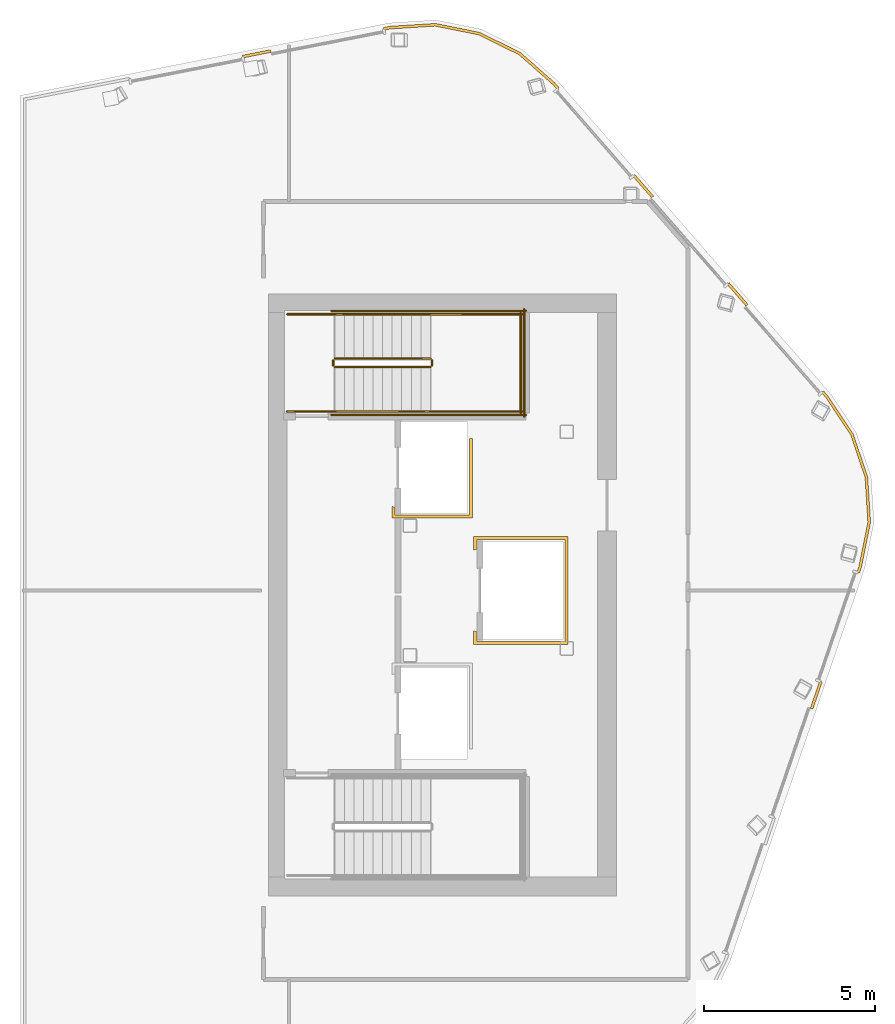
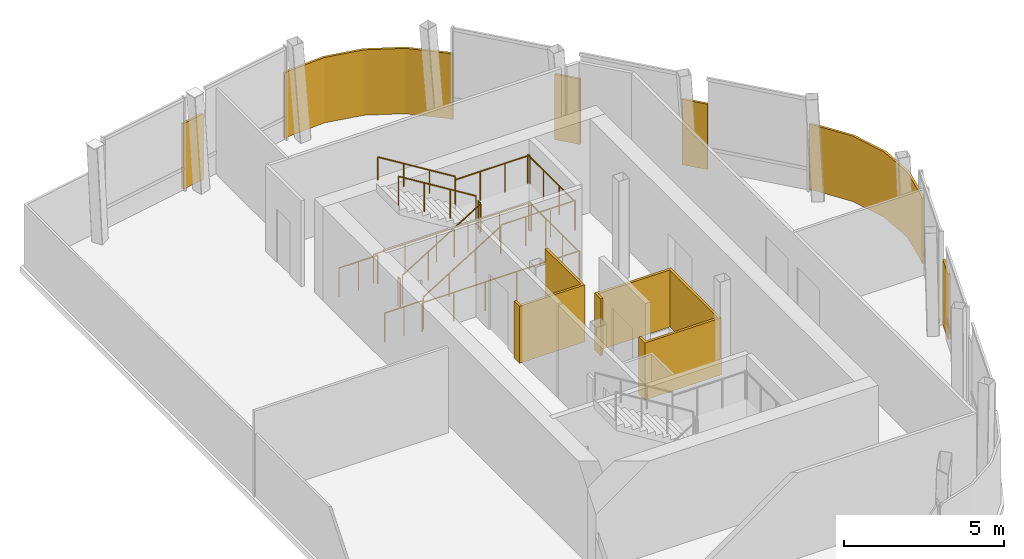
# One storey, part 5 of 5: 14 railings, 8 coverings.
"""IFC4 building model written with IfcOpenShell, lengths in metres."""

from ifc_helpers import new_model, si_unit, direction, frame, origin, origin_2d, place, context, subcontext, project, spatial, polyline, circle, outline, extrude, material, layer, layer_set, type_object, element, save


model = new_model("IFC4")

# Units and contexts
model_context = context("Model", 3, precision=1e-05, world=origin(), true_north=direction((0.0, 1.0)))
body_context = subcontext(model_context, "Body", "Model", "MODEL_VIEW")
ifc_project = project(units=[si_unit("LENGTHUNIT", "METRE"), si_unit("AREAUNIT", "SQUARE_METRE"), si_unit("VOLUMEUNIT", "CUBIC_METRE"), si_unit("PLANEANGLEUNIT", "RADIAN"), si_unit("MASSUNIT", "GRAM", prefix="KILO")], contexts=[model_context])

# Site, building, storey
site_placement = place(None, origin())
site = spatial("IfcSite", under=ifc_project, at=site_placement, CompositionType="ELEMENT")
building_placement = place(site_placement, origin())
building = spatial("IfcBuilding", under=site, at=building_placement, Name="Valkerne Bourse Tower", CompositionType="ELEMENT")
storey_placement = place(building_placement, frame((0.0, 0.0, 330.60009765625)))
storey = spatial("IfcBuildingStorey", under=building, at=storey_placement, Name="L84", CompositionType="ELEMENT", Elevation=330.60009765625)

# Coverings
ifc_material_1 = material(Name="Bronze Anodised Aluminium AA 6063-T6", Category="aluminium")
ifc_layer_1 = layer(ifc_material_1, 0.06005859375)
ifc_layer_set_1 = layer_set([ifc_layer_1], Name="Bronze Anodised Aluminium AA 6063-T6")
covering_type_1 = type_object("IfcCoveringType", Name="COV-CRN-ALUM", PredefinedType="CLADDING", material=ifc_layer_set_1)
covering_1_placement = place(storey_placement, origin())
element("IfcCovering", 1, at=covering_1_placement, inside=storey, type_object=covering_type_1, Name="L84 Wind-Shaped Corner Aluminium Cladding 02", PredefinedType="CLADDING", context=body_context, shape_type="SweptSolid", body=[
    extrude(outline(polyline([(46.263427734375, 42.85498046875), (46.27880859375, 42.776611328125), (45.45458984375, 42.61474609375), (45.439208984375, 42.693359375), (46.263427734375, 42.85498046875)])), origin(), (0.0, 0.0, 1.0), 2.5),
])
covering_2_placement = place(storey_placement, origin())
element("IfcCovering", 2, at=covering_2_placement, inside=storey, type_object=covering_type_1, Name="L84 Wind-Shaped Corner Aluminium Cladding 03", PredefinedType="CLADDING", context=body_context, shape_type="SweptSolid", body=[
    extrude(outline(polyline([(49.761962890625, 43.54150390625), (51.09716796875, 43.62548828125), (52.402099609375, 43.3623046875), (53.59423828125, 42.7705078125), (54.597900390625, 41.8857421875), (54.724853515625, 41.739990234375), (54.66455078125, 41.6875), (54.541015625, 41.8291015625), (53.54931640625, 42.703369140625), (52.3759765625, 43.285888671875), (51.091796875, 43.544921875), (49.772216796875, 43.4619140625), (49.587890625, 43.42578125), (49.572509765625, 43.504150390625), (49.761962890625, 43.54150390625)])), origin(), (0.0, 0.0, 1.0), 2.5),
])
covering_3_placement = place(storey_placement, origin())
element("IfcCovering", 3, at=covering_3_placement, inside=storey, type_object=covering_type_1, Name="L84 Wind-Shaped Corner Aluminium Cladding 04", PredefinedType="CLADDING", context=body_context, shape_type="SweptSolid", body=[
    extrude(outline(polyline([(57.49365234375, 38.566162109375), (57.433349609375, 38.513427734375), (56.881103515625, 39.146484375), (56.94140625, 39.19921875), (57.49365234375, 38.566162109375)])), origin(), (0.0, 0.0, 1.0), 2.5),
])
covering_4_placement = place(storey_placement, origin())
element("IfcCovering", 4, at=covering_4_placement, inside=storey, type_object=covering_type_1, Name="L84 Wind-Shaped Corner Aluminium Cladding 05", PredefinedType="CLADDING", context=body_context, shape_type="SweptSolid", body=[
    extrude(outline(polyline([(60.2626953125, 35.39208984375), (60.202392578125, 35.339599609375), (59.650146484375, 35.972412109375), (59.71044921875, 36.025146484375), (60.2626953125, 35.39208984375)])), origin(), (0.0, 0.0, 1.0), 2.5),
])
covering_5_placement = place(storey_placement, origin())
element("IfcCovering", 5, at=covering_5_placement, inside=storey, type_object=covering_type_1, Name="L84 Wind-Shaped Corner Aluminium Cladding 06", PredefinedType="CLADDING", context=body_context, shape_type="SweptSolid", body=[
    extrude(outline(polyline([(62.606201171875, 32.70556640625), (63.3466796875, 31.59130859375), (63.77099609375, 30.32958984375), (63.854736328125, 29.001220703125), (63.59033203125, 27.689697265625), (63.52783203125, 27.5068359375), (63.4521484375, 27.53271484375), (63.512939453125, 27.710693359375), (63.7744140625, 29.006591796875), (63.69189453125, 30.31396484375), (63.274169921875, 31.5556640625), (62.54248046875, 32.656982421875), (62.4189453125, 32.798583984375), (62.479248046875, 32.85107421875), (62.606201171875, 32.70556640625)])), origin(), (0.0, 0.0, 1.0), 2.5),
])
covering_6_placement = place(storey_placement, origin())
element("IfcCovering", 6, at=covering_6_placement, inside=storey, type_object=covering_type_1, Name="L84 Wind-Shaped Corner Aluminium Cladding 07", PredefinedType="CLADDING", context=body_context, shape_type="SweptSolid", body=[
    extrude(outline(polyline([(62.163330078125, 23.52197265625), (62.087646484375, 23.5478515625), (62.35986328125, 24.342529296875), (62.435546875, 24.316650390625), (62.163330078125, 23.52197265625)])), origin(), (0.0, 0.0, 1.0), 2.5),
])
ifc_material_2 = material(Name="Gypsum Shaftwall Liner Board", Category="gypsum")
ifc_layer_2 = layer(ifc_material_2, 0.080078125)
ifc_layer_set_2 = layer_set([ifc_layer_2], Name="Gypsum Shaftwall Liner Board")
covering_type_2 = type_object("IfcCoveringType", Name="COV-SHF-CLAD", PredefinedType="CLADDING", material=ifc_layer_set_2)
covering_7_placement = place(storey_placement, origin())
element("IfcCovering", 7, at=covering_7_placement, inside=storey, type_object=covering_type_2, Name="L84 Hoistway & Riser Shaftwall Liner 02", PredefinedType="CLADDING", context=body_context, shape_type="SweptSolid", body=[
    extrude(outline(polyline([(52.219970703125, 25.81787109375), (52.227783203125, 25.814208984375), (52.269287109375, 25.79931640625), (52.31005859375, 25.789306640625), (52.31005859375, 25.510009765625), (54.889892578125, 25.510009765625), (54.889892578125, 28.489990234375), (52.31005859375, 28.489990234375), (52.31005859375, 28.210693359375), (52.269287109375, 28.20068359375), (52.227783203125, 28.185791015625), (52.219970703125, 28.18212890625), (52.219970703125, 28.580078125), (54.97998046875, 28.580078125), (54.97998046875, 25.419921875), (52.219970703125, 25.419921875), (52.219970703125, 25.81787109375)])), origin(), (0.0, 0.0, 1.0), 2.179931640625),
])
covering_8_placement = place(storey_placement, origin())
element("IfcCovering", 8, at=covering_8_placement, inside=storey, type_object=covering_type_2, Name="L84 Hoistway & Riser Shaftwall Liner 03", PredefinedType="CLADDING", context=body_context, shape_type="SweptSolid", body=[
    extrude(outline(polyline([(49.820068359375, 29.468017578125), (49.827880859375, 29.46435546875), (49.869384765625, 29.449462890625), (49.909912109375, 29.439208984375), (49.909912109375, 29.2099609375), (52.090087890625, 29.2099609375), (52.090087890625, 31.449951171875), (52.179931640625, 31.449951171875), (52.179931640625, 29.1201171875), (49.820068359375, 29.1201171875), (49.820068359375, 29.468017578125)])), origin(), (0.0, 0.0, 1.0), 2.179931640625),
])

# Railings
ifc_material_3 = material(Name="Galvanised Painted Steel", Category="steel")
railing_type_1 = type_object("IfcRailingType", Name="RLG-ST-GUARD-1120", PredefinedType="GUARDRAIL", material=ifc_material_3)
railing_1_placement = place(storey_placement, frame((48.14990234375, 33.550048828125, 0.172607421875)))
element("IfcRailing", 9, at=railing_1_placement, inside=storey, type_object=railing_type_1, Name="L84 ST-2 stair guard 1", PredefinedType="GUARDRAIL", context=body_context, shape_type="SweptSolid", body=[
    extrude(circle(Radius=0.02392578125, at=origin_2d()), frame((0.0, 0.0, 1.09619140625), z_axis=(0.851089632645, 0.0, 0.525020415988), x_axis=(0.0, 1.0, 0.0)), (0.0, 0.0, 1.0), 3.2900390625),
    extrude(circle(Radius=0.02099609375, at=origin_2d()), origin(), (0.0, 0.0, 1.0), 1.072021484375),
    extrude(circle(Radius=0.02099609375, at=origin_2d()), frame((0.933349609375, 0.0, 0.57568359375)), (0.0, 0.0, 1.0), 1.072021484375),
    extrude(circle(Radius=0.02099609375, at=origin_2d()), frame((1.86669921875, 0.0, 1.151611328125)), (0.0, 0.0, 1.0), 1.072021484375),
    extrude(circle(Radius=0.02099609375, at=origin_2d()), frame((2.800048828125, 0.0, 1.727294921875)), (0.0, 0.0, 1.0), 1.072021484375),
])
railing_2_placement = place(storey_placement, frame((51.0, 33.60009765625, 1.89990234375)))
element("IfcRailing", 10, at=railing_2_placement, inside=storey, type_object=railing_type_1, Name="L84 ST-2 stair guard 2", PredefinedType="GUARDRAIL", context=body_context, shape_type="SweptSolid", body=[
    extrude(circle(Radius=0.02392578125, at=origin_2d()), frame((0.0, 0.0, 1.09619140625), z_axis=(0.0, 1.0, 0.0), x_axis=(-1.0, 0.0, 0.0)), (0.0, 0.0, 1.0), 0.14990234375),
    extrude(circle(Radius=0.02099609375, at=origin_2d()), origin(), (0.0, 0.0, 1.0), 1.072021484375),
    extrude(circle(Radius=0.02099609375, at=origin_2d()), frame((0.0, 0.14990234375, 0.0)), (0.0, 0.0, 1.0), 1.072021484375),
])
for number, where, name in (
    (11, (50.949951171875, 32.25, 1.89990234375), "L84 ST-2 stair guard 3"),
    (12, (50.949951171875, 35.10009765625, 1.89990234375), "L84 ST-2 stair guard 4"),
):
    element("IfcRailing", number, at=place(storey_placement, frame(where)), inside=storey, type_object=railing_type_1, Name=name, PredefinedType="GUARDRAIL", context=body_context, shape_type="SweptSolid", body=[
        extrude(circle(Radius=0.02392578125, at=origin_2d()), frame((0.0, 0.0, 1.09619140625), z_axis=(1.0, 0.0, 0.0), x_axis=(0.0, 1.0, 0.0)), (0.0, 0.0, 1.0), 2.699951171875),
        extrude(circle(Radius=0.02099609375, at=origin_2d()), origin(), (0.0, 0.0, 1.0), 1.072021484375),
        extrude(circle(Radius=0.02099609375, at=origin_2d()), frame((0.89990234375, 0.0, 0.0)), (0.0, 0.0, 1.0), 1.072021484375),
        extrude(circle(Radius=0.02099609375, at=origin_2d()), frame((1.800048828125, 0.0, 0.0)), (0.0, 0.0, 1.0), 1.072021484375),
        extrude(circle(Radius=0.02099609375, at=origin_2d()), frame((2.699951171875, 0.0, 0.0)), (0.0, 0.0, 1.0), 1.072021484375),
    ])
railing_3_placement = place(storey_placement, frame((53.60009765625, 32.199951171875, 1.89990234375)))
element("IfcRailing", 13, at=railing_3_placement, inside=storey, type_object=railing_type_1, Name="L84 ST-2 stair guard 5", PredefinedType="GUARDRAIL", context=body_context, shape_type="SweptSolid", body=[
    extrude(circle(Radius=0.02392578125, at=origin_2d()), frame((0.0, 0.0, 1.09619140625), z_axis=(0.0, 1.0, 0.0), x_axis=(-1.0, 0.0, 0.0)), (0.0, 0.0, 1.0), 2.949951171875),
    extrude(circle(Radius=0.02099609375, at=origin_2d()), origin(), (0.0, 0.0, 1.0), 1.072021484375),
    extrude(circle(Radius=0.02099609375, at=origin_2d()), frame((0.0, 0.9833984375, 0.0)), (0.0, 0.0, 1.0), 1.072021484375),
    extrude(circle(Radius=0.02099609375, at=origin_2d()), frame((0.0, 1.966552734375, 0.0)), (0.0, 0.0, 1.0), 1.072021484375),
    extrude(circle(Radius=0.02099609375, at=origin_2d()), frame((0.0, 2.949951171875, 0.0)), (0.0, 0.0, 1.0), 1.072021484375),
])
railing_4_placement = place(storey_placement, frame((50.949951171875, 33.800048828125, 2.072509765625)))
element("IfcRailing", 14, at=railing_4_placement, inside=storey, type_object=railing_type_1, Name="L84 ST-2 stair guard 6", PredefinedType="GUARDRAIL", context=body_context, shape_type="SweptSolid", body=[
    extrude(circle(Radius=0.02392578125, at=origin_2d()), frame((0.0, 0.0, 1.09619140625), z_axis=(-0.851089632645, 0.0, 0.525020415988), x_axis=(0.0, -1.0, 0.0)), (0.0, 0.0, 1.0), 3.2900390625),
    extrude(circle(Radius=0.02099609375, at=origin_2d()), origin(), (0.0, 0.0, 1.0), 1.072021484375),
    extrude(circle(Radius=0.02099609375, at=origin_2d()), frame((-0.933349609375, 0.0, 0.57568359375)), (0.0, 0.0, 1.0), 1.072021484375),
    extrude(circle(Radius=0.02099609375, at=origin_2d()), frame((-1.86669921875, 0.0, 1.151611328125)), (0.0, 0.0, 1.0), 1.072021484375),
    extrude(circle(Radius=0.02099609375, at=origin_2d()), frame((-2.800048828125, 0.0, 1.727294921875)), (0.0, 0.0, 1.0), 1.072021484375),
])
railing_5_placement = place(storey_placement, frame((48.10009765625, 33.60009765625, 0.0)))
element("IfcRailing", 15, at=railing_5_placement, inside=storey, type_object=railing_type_1, Name="L84 ST-2 stair guard 7", PredefinedType="GUARDRAIL", context=body_context, shape_type="SweptSolid", body=[
    extrude(circle(Radius=0.02392578125, at=origin_2d()), frame((0.0, 0.0, 1.09619140625), z_axis=(0.0, 1.0, 0.0), x_axis=(-1.0, 0.0, 0.0)), (0.0, 0.0, 1.0), 0.14990234375),
    extrude(circle(Radius=0.02099609375, at=origin_2d()), origin(), (0.0, 0.0, 1.0), 1.072021484375),
    extrude(circle(Radius=0.02099609375, at=origin_2d()), frame((0.0, 0.14990234375, 0.0)), (0.0, 0.0, 1.0), 1.072021484375),
])
for number, where, name in (
    (16, (46.75, 32.25, 0.0), "L84 ST-2 stair guard 8"),
    (17, (46.75, 35.10009765625, 0.0), "L84 ST-2 stair guard 9"),
):
    element("IfcRailing", number, at=place(storey_placement, frame(where)), inside=storey, type_object=railing_type_1, Name=name, PredefinedType="GUARDRAIL", context=body_context, shape_type="SweptSolid", body=[
        extrude(circle(Radius=0.02392578125, at=origin_2d()), frame((0.0, 0.0, 1.09619140625), z_axis=(1.0, 0.0, 0.0), x_axis=(0.0, 1.0, 0.0)), (0.0, 0.0, 1.0), 1.39990234375),
        extrude(circle(Radius=0.02099609375, at=origin_2d()), origin(), (0.0, 0.0, 1.0), 1.072021484375),
        extrude(circle(Radius=0.02099609375, at=origin_2d()), frame((0.699951171875, 0.0, 0.0)), (0.0, 0.0, 1.0), 1.072021484375),
        extrude(circle(Radius=0.02099609375, at=origin_2d()), frame((1.39990234375, 0.0, 0.0)), (0.0, 0.0, 1.0), 1.072021484375),
    ])
for number, where, name in (
    (18, (48.050048828125, 32.14990234375, 0.0), "L84 ST-2 stair guard 10"),
    (19, (48.050048828125, 35.199951171875, 0.0), "L84 ST-2 stair guard 11"),
):
    element("IfcRailing", number, at=place(storey_placement, frame(where)), inside=storey, type_object=railing_type_1, Name=name, PredefinedType="GUARDRAIL", context=body_context, shape_type="SweptSolid", body=[
        extrude(circle(Radius=0.02392578125, at=origin_2d()), frame((0.0, 0.0, 1.09619140625), z_axis=(1.0, 0.0, 0.0), x_axis=(0.0, 1.0, 0.0)), (0.0, 0.0, 1.0), 5.699951171875),
        extrude(circle(Radius=0.02099609375, at=origin_2d()), origin(), (0.0, 0.0, 1.0), 1.072021484375),
        extrude(circle(Radius=0.02099609375, at=origin_2d()), frame((1.139892578125, 0.0, 0.0)), (0.0, 0.0, 1.0), 1.072021484375),
        extrude(circle(Radius=0.02099609375, at=origin_2d()), frame((2.280029296875, 0.0, 0.0)), (0.0, 0.0, 1.0), 1.072021484375),
        extrude(circle(Radius=0.02099609375, at=origin_2d()), frame((3.419921875, 0.0, 0.0)), (0.0, 0.0, 1.0), 1.072021484375),
        extrude(circle(Radius=0.02099609375, at=origin_2d()), frame((4.56005859375, 0.0, 0.0)), (0.0, 0.0, 1.0), 1.072021484375),
        extrude(circle(Radius=0.02099609375, at=origin_2d()), frame((5.699951171875, 0.0, 0.0)), (0.0, 0.0, 1.0), 1.072021484375),
    ])
railing_6_placement = place(storey_placement, frame((53.699951171875, 32.10009765625, 0.0)))
element("IfcRailing", 20, at=railing_6_placement, inside=storey, type_object=railing_type_1, Name="L84 ST-2 stair guard 12", PredefinedType="GUARDRAIL", context=body_context, shape_type="SweptSolid", body=[
    extrude(circle(Radius=0.02392578125, at=origin_2d()), frame((0.0, 0.0, 1.09619140625), z_axis=(0.0, 1.0, 0.0), x_axis=(-1.0, 0.0, 0.0)), (0.0, 0.0, 1.0), 3.14990234375),
    extrude(circle(Radius=0.02099609375, at=origin_2d()), origin(), (0.0, 0.0, 1.0), 1.072021484375),
    extrude(circle(Radius=0.02099609375, at=origin_2d()), frame((0.0, 1.050048828125, 0.0)), (0.0, 0.0, 1.0), 1.072021484375),
    extrude(circle(Radius=0.02099609375, at=origin_2d()), frame((0.0, 2.099853515625, 0.0)), (0.0, 0.0, 1.0), 1.072021484375),
    extrude(circle(Radius=0.02099609375, at=origin_2d()), frame((0.0, 3.14990234375, 0.0)), (0.0, 0.0, 1.0), 1.072021484375),
])
ifc_material_4 = material(Name="Stainless Steel AISI 316", Category="steel")
railing_type_2 = type_object("IfcRailingType", Name="RLG-ST-HANDRAIL-900", PredefinedType="HANDRAIL", material=ifc_material_4)
railing_7_placement = place(storey_placement, frame((48.14990234375, 32.25, 0.345458984375)))
element("IfcRailing", 21, at=railing_7_placement, inside=storey, type_object=railing_type_2, Name="L84 ST-2 stair handrail 1", PredefinedType="HANDRAIL", context=body_context, shape_type="SweptSolid", body=[
    extrude(circle(Radius=0.02392578125, at=origin_2d()), frame((0.0, 0.0, 0.8759765625), z_axis=(0.851122791225, 0.0, 0.524966660138), x_axis=(0.0, 1.0, 0.0)), (0.0, 0.0, 1.0), 3.289794921875),
    extrude(circle(Radius=0.02099609375, at=origin_2d()), origin(), (0.0, 0.0, 1.0), 0.851806640625),
    extrude(circle(Radius=0.02099609375, at=origin_2d()), frame((0.933349609375, 0.0, 0.57568359375)), (0.0, 0.0, 1.0), 0.851806640625),
    extrude(circle(Radius=0.02099609375, at=origin_2d()), frame((1.86669921875, 0.0, 1.1513671875)), (0.0, 0.0, 1.0), 0.851806640625),
    extrude(circle(Radius=0.02099609375, at=origin_2d()), frame((2.800048828125, 0.0, 1.72705078125)), (0.0, 0.0, 1.0), 0.851806640625),
])
railing_8_placement = place(storey_placement, frame((50.949951171875, 35.10009765625, 2.245361328125)))
element("IfcRailing", 22, at=railing_8_placement, inside=storey, type_object=railing_type_2, Name="L84 ST-2 stair handrail 2", PredefinedType="HANDRAIL", context=body_context, shape_type="SweptSolid", body=[
    extrude(circle(Radius=0.02392578125, at=origin_2d()), frame((0.0, 0.0, 0.8759765625), z_axis=(-0.851089632645, 0.0, 0.525020415988), x_axis=(0.0, -1.0, 0.0)), (0.0, 0.0, 1.0), 3.2900390625),
    extrude(circle(Radius=0.02099609375, at=origin_2d()), origin(), (0.0, 0.0, 1.0), 0.851806640625),
    extrude(circle(Radius=0.02099609375, at=origin_2d()), frame((-0.933349609375, 0.0, 0.57568359375)), (0.0, 0.0, 1.0), 0.851806640625),
    extrude(circle(Radius=0.02099609375, at=origin_2d()), frame((-1.86669921875, 0.0, 1.151611328125)), (0.0, 0.0, 1.0), 0.851806640625),
    extrude(circle(Radius=0.02099609375, at=origin_2d()), frame((-2.800048828125, 0.0, 1.727294921875)), (0.0, 0.0, 1.0), 0.851806640625),
])

save(model, "model.ifc")
